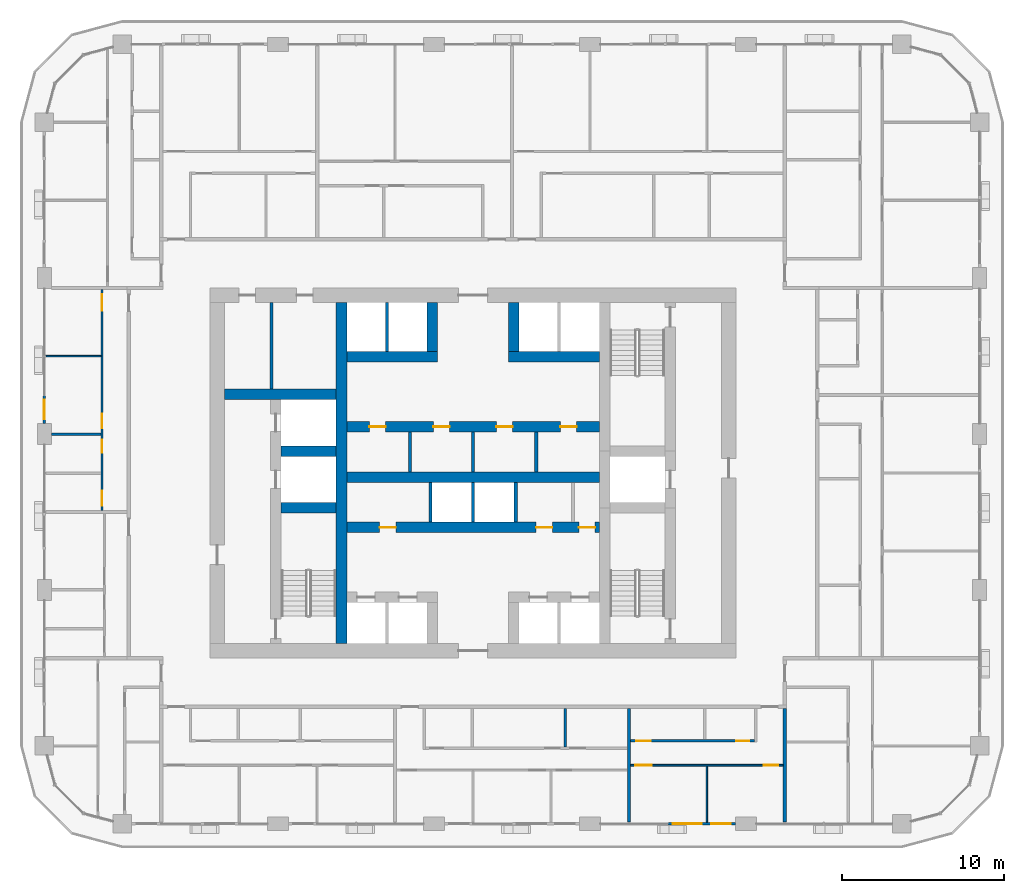
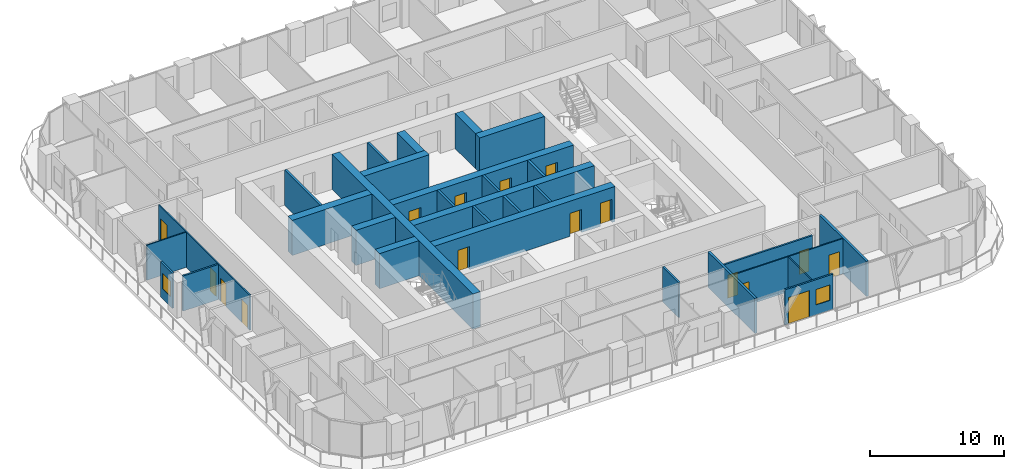
# One storey, part 11 of 22: 30 walls, 16 doors, 2 windows, 18 openings.
"""IFC4 building model written with IfcOpenShell, lengths in metres."""

from ifc_helpers import new_model, si_unit, direction, frame, frame_2d, origin, place, context, subcontext, project, spatial, rectangle, extrude, material, layer, layer_set, type_object, element, fill, save


model = new_model("IFC4")

# Units and contexts
model_context = context("Model", 3, precision=1e-05, world=origin(), true_north=direction((0.0, 1.0)))
body_context = subcontext(model_context, "Body", "Model", "MODEL_VIEW")
ifc_project = project(units=[si_unit("LENGTHUNIT", "METRE"), si_unit("AREAUNIT", "SQUARE_METRE"), si_unit("VOLUMEUNIT", "CUBIC_METRE"), si_unit("PLANEANGLEUNIT", "RADIAN"), si_unit("MASSUNIT", "GRAM", prefix="KILO")], contexts=[model_context])

# Site, building, storey
site_placement = place(None, origin())
site = spatial("IfcSite", under=ifc_project, at=site_placement, CompositionType="ELEMENT")
building_placement = place(site_placement, origin())
building = spatial("IfcBuilding", under=site, at=building_placement, Name="Madar Terraces", CompositionType="ELEMENT")
storey_placement = place(building_placement, frame((0.0, 0.0, 103.199951171875)))
storey = spatial("IfcBuildingStorey", under=building, at=storey_placement, Name="L26", CompositionType="ELEMENT", Elevation=103.199951171875)

# Walls
ifc_material_1 = material(Name="Concrete C80/95", Category="concrete")
ifc_layer_1 = layer(ifc_material_1, 0.64990234375)
ifc_layer_set_1 = layer_set([ifc_layer_1], Name="Concrete C80/95 (CIW2 RC wall 650)")
wall_type_1 = type_object("IfcWallType", Name="CIW2 RC wall 650", PredefinedType="SHEAR", material=ifc_layer_set_1)
wall_1_placement = place(storey_placement, frame((23.10009765625, 15.89990234375, 0.0), z_axis=(0.0, 0.0, 1.0), x_axis=(0.0, 1.0, 0.0)))
element("IfcWall", 1, at=wall_1_placement, inside=storey, type_object=wall_type_1, Name="CORE SHAFT WALL", PredefinedType="SHEAR", context=body_context, shape_type="SweptSolid", body=[
    extrude(rectangle(XDim=21.0, YDim=0.64990234375, at=frame_2d((10.5, 0.0))), origin(), (0.0, 0.0, 1.0), 3.199951171875),
])
for number, where, z_axis, x_axis, name in (
    (2, (19.375, 24.25, 0.0), (0.0, 0.0, 1.0), (1.0, 0.0, 0.0), "CORE SHAFT WALL"),
    (3, (19.375, 27.75, 0.0), (0.0, 0.0, 1.0), (1.0, 0.0, 0.0), "CORE SHAFT WALL"),
):
    element("IfcWall", number, at=place(storey_placement, frame(where, z_axis=z_axis, x_axis=x_axis)), inside=storey, type_object=wall_type_1, Name=name, PredefinedType="SHEAR", context=body_context, shape_type="SweptSolid", body=[
        extrude(rectangle(XDim=3.39990234375, YDim=0.64990234375, at=frame_2d((1.699951171875, 0.0))), origin(), (0.0, 0.0, 1.0), 3.199951171875),
    ])
wall_2_placement = place(storey_placement, frame((15.89990234375, 31.25, 0.0), z_axis=(0.0, 0.0, 1.0), x_axis=(1.0, 0.0, 0.0)))
element("IfcWall", 4, at=wall_2_placement, inside=storey, type_object=wall_type_1, Name="CORE SHAFT WALL", PredefinedType="SHEAR", context=body_context, shape_type="SweptSolid", body=[
    extrude(rectangle(XDim=6.875, YDim=0.64990234375, at=frame_2d((3.4375, 0.0))), origin(), (0.0, 0.0, 1.0), 3.199951171875),
])

# Wall, openings, doors
wall_3_placement = place(storey_placement, frame((23.425048828125, 23.050048828125, 0.0), z_axis=(0.0, 0.0, 1.0), x_axis=(1.0, 0.0, 0.0)))
wall_3 = element("IfcWall", 5, at=wall_3_placement, inside=storey, type_object=wall_type_1, Name="CORE SHAFT WALL", PredefinedType="SHEAR", context=body_context, shape_type="SweptSolid", body=[
    extrude(rectangle(XDim=15.550048828125, YDim=0.64990234375, at=frame_2d((7.77490234375, 0.0))), origin(), (0.0, 0.0, 1.0), 3.199951171875),
])
opening_1_placement = place(wall_3_placement, frame((2.02490234375, 0.0, 0.0)))
opening_1 = element("IfcOpeningElement", 6, at=opening_1_placement, cuts=wall_3, Name="Opening KD2", PredefinedType="OPENING", context=body_context, shape_type="SweptSolid", body=[
    extrude(rectangle(XDim=1.0, YDim=2.10009765625, at=frame_2d((0.5, 1.050048828125))), frame((0.0, 0.3349609375, 0.0), z_axis=(0.0, -1.0, 0.0), x_axis=(1.0, 0.0, 0.0)), (0.0, 0.0, 1.0), 0.669921875),
])
opening_2_placement = place(wall_3_placement, frame((11.6669921875, 0.0, 0.0)))
opening_2 = element("IfcOpeningElement", 7, at=opening_2_placement, cuts=wall_3, Name="Opening KD2", PredefinedType="OPENING", context=body_context, shape_type="SweptSolid", body=[
    extrude(rectangle(XDim=1.0, YDim=2.10009765625, at=frame_2d((0.5, 1.050048828125))), frame((0.0, 0.3349609375, 0.0), z_axis=(0.0, -1.0, 0.0), x_axis=(1.0, 0.0, 0.0)), (0.0, 0.0, 1.0), 0.669921875),
])
opening_3_placement = place(wall_3_placement, frame((14.2919921875, 0.0, 0.0)))
opening_3 = element("IfcOpeningElement", 8, at=opening_3_placement, cuts=wall_3, Name="Opening KD2", PredefinedType="OPENING", context=body_context, shape_type="SweptSolid", body=[
    extrude(rectangle(XDim=1.0, YDim=2.10009765625, at=frame_2d((0.5, 1.050048828125))), frame((0.0, 0.3349609375, 0.0), z_axis=(0.0, -1.0, 0.0), x_axis=(1.0, 0.0, 0.0)), (0.0, 0.0, 1.0), 0.669921875),
])
ifc_material_2 = material(Name="Steel door leaf", Category="steel")
door_type_1 = type_object("IfcDoorType", Name="Service room door 1000 x 2100", OperationType="NOTDEFINED", PredefinedType="DOOR", material=ifc_material_2)
door_1_placement = place(opening_1_placement, frame((1.0, 0.0, 0.0), z_axis=(0.0, 0.0, 1.0), x_axis=(-1.0, 0.0, 0.0)))
door_1 = element("IfcDoor", 9, at=door_1_placement, inside=storey, type_object=door_type_1, Name="SERVICE ROOM DOOR", OperationType="SINGLE_SWING_LEFT", OverallHeight=2.10009765625, OverallWidth=1.0, PredefinedType="DOOR", context=body_context, shape_type="SweptSolid", body=[
    extrude(rectangle(XDim=1.0, YDim=2.10009765625, at=frame_2d((0.5, 1.050048828125))), frame((0.0, 0.02490234375, 0.0), z_axis=(0.0, -1.0, 0.0), x_axis=(1.0, 0.0, 0.0)), (0.0, 0.0, 1.0), 0.050048828125),
])
fill(opening_1, door_1)
door_2_placement = place(opening_2_placement, frame((1.0, 0.0, 0.0), z_axis=(0.0, 0.0, 1.0), x_axis=(-1.0, 0.0, 0.0)))
door_2 = element("IfcDoor", 10, at=door_2_placement, inside=storey, type_object=door_type_1, Name="SERVICE ROOM DOOR", OperationType="SINGLE_SWING_RIGHT", OverallHeight=2.10009765625, OverallWidth=1.0, PredefinedType="DOOR", context=body_context, shape_type="SweptSolid", body=[
    extrude(rectangle(XDim=1.0, YDim=2.10009765625, at=frame_2d((0.5, 1.050048828125))), frame((0.0, 0.02490234375, 0.0), z_axis=(0.0, -1.0, 0.0), x_axis=(1.0, 0.0, 0.0)), (0.0, 0.0, 1.0), 0.050048828125),
])
fill(opening_2, door_2)
door_3_placement = place(opening_3_placement, frame((1.0, 0.0, 0.0), z_axis=(0.0, 0.0, 1.0), x_axis=(-1.0, 0.0, 0.0)))
door_3 = element("IfcDoor", 11, at=door_3_placement, inside=storey, type_object=door_type_1, Name="SERVICE ROOM DOOR", OperationType="SINGLE_SWING_LEFT", OverallHeight=2.10009765625, OverallWidth=1.0, PredefinedType="DOOR", context=body_context, shape_type="SweptSolid", body=[
    extrude(rectangle(XDim=1.0, YDim=2.10009765625, at=frame_2d((0.5, 1.050048828125))), frame((0.0, 0.02490234375, 0.0), z_axis=(0.0, -1.0, 0.0), x_axis=(1.0, 0.0, 0.0)), (0.0, 0.0, 1.0), 0.050048828125),
])
fill(opening_3, door_3)

# Wall
wall_4_placement = place(storey_placement, frame((23.425048828125, 26.14990234375, 0.0), z_axis=(0.0, 0.0, 1.0), x_axis=(1.0, 0.0, 0.0)))
element("IfcWall", 12, at=wall_4_placement, inside=storey, type_object=wall_type_1, Name="CORE SHAFT WALL", PredefinedType="SHEAR", context=body_context, shape_type="SweptSolid", body=[
    extrude(rectangle(XDim=15.550048828125, YDim=0.64990234375, at=frame_2d((7.77490234375, 0.0))), origin(), (0.0, 0.0, 1.0), 3.199951171875),
])

# Wall, openings, doors
wall_5_placement = place(storey_placement, frame((23.425048828125, 29.25, 0.0), z_axis=(0.0, 0.0, 1.0), x_axis=(1.0, 0.0, 0.0)))
wall_5 = element("IfcWall", 13, at=wall_5_placement, inside=storey, type_object=wall_type_1, Name="CORE SHAFT WALL", PredefinedType="SHEAR", context=body_context, shape_type="SweptSolid", body=[
    extrude(rectangle(XDim=15.550048828125, YDim=0.64990234375, at=frame_2d((7.77490234375, 0.0))), origin(), (0.0, 0.0, 1.0), 3.199951171875),
])
opening_4_placement = place(wall_5_placement, frame((1.393798828125, 0.0, 0.0)))
opening_4 = element("IfcOpeningElement", 14, at=opening_4_placement, cuts=wall_5, Name="Opening KD2", PredefinedType="OPENING", context=body_context, shape_type="SweptSolid", body=[
    extrude(rectangle(XDim=1.0, YDim=2.10009765625, at=frame_2d((0.5, 1.050048828125))), frame((0.0, 0.3349609375, 0.0), z_axis=(0.0, -1.0, 0.0), x_axis=(1.0, 0.0, 0.0)), (0.0, 0.0, 1.0), 0.669921875),
])
opening_5_placement = place(wall_5_placement, frame((5.331298828125, 0.0, 0.0)))
opening_5 = element("IfcOpeningElement", 15, at=opening_5_placement, cuts=wall_5, Name="Opening KD2", PredefinedType="OPENING", context=body_context, shape_type="SweptSolid", body=[
    extrude(rectangle(XDim=1.0, YDim=2.10009765625, at=frame_2d((0.5, 1.050048828125))), frame((0.0, 0.3349609375, 0.0), z_axis=(0.0, -1.0, 0.0), x_axis=(1.0, 0.0, 0.0)), (0.0, 0.0, 1.0), 0.669921875),
])
opening_6_placement = place(wall_5_placement, frame((9.21875, 0.0, 0.0)))
opening_6 = element("IfcOpeningElement", 16, at=opening_6_placement, cuts=wall_5, Name="Opening KD2", PredefinedType="OPENING", context=body_context, shape_type="SweptSolid", body=[
    extrude(rectangle(XDim=1.0, YDim=2.10009765625, at=frame_2d((0.5, 1.050048828125))), frame((0.0, 0.3349609375, 0.0), z_axis=(0.0, -1.0, 0.0), x_axis=(1.0, 0.0, 0.0)), (0.0, 0.0, 1.0), 0.669921875),
])
opening_7_placement = place(wall_5_placement, frame((13.15625, 0.0, 0.0)))
opening_7 = element("IfcOpeningElement", 17, at=opening_7_placement, cuts=wall_5, Name="Opening KD2", PredefinedType="OPENING", context=body_context, shape_type="SweptSolid", body=[
    extrude(rectangle(XDim=1.0, YDim=2.10009765625, at=frame_2d((0.5, 1.050048828125))), frame((0.0, 0.3349609375, 0.0), z_axis=(0.0, -1.0, 0.0), x_axis=(1.0, 0.0, 0.0)), (0.0, 0.0, 1.0), 0.669921875),
])
door_4_placement = place(opening_4_placement, origin())
door_4 = element("IfcDoor", 18, at=door_4_placement, inside=storey, type_object=door_type_1, Name="SERVICE ROOM DOOR", OperationType="SINGLE_SWING_RIGHT", OverallHeight=2.10009765625, OverallWidth=1.0, PredefinedType="DOOR", context=body_context, shape_type="SweptSolid", body=[
    extrude(rectangle(XDim=1.0, YDim=2.10009765625, at=frame_2d((0.5, 1.050048828125))), frame((0.0, 0.02490234375, 0.0), z_axis=(0.0, -1.0, 0.0), x_axis=(1.0, 0.0, 0.0)), (0.0, 0.0, 1.0), 0.050048828125),
])
fill(opening_4, door_4)
door_5_placement = place(opening_5_placement, origin())
door_5 = element("IfcDoor", 19, at=door_5_placement, inside=storey, type_object=door_type_1, Name="SERVICE ROOM DOOR", OperationType="SINGLE_SWING_LEFT", OverallHeight=2.10009765625, OverallWidth=1.0, PredefinedType="DOOR", context=body_context, shape_type="SweptSolid", body=[
    extrude(rectangle(XDim=1.0, YDim=2.10009765625, at=frame_2d((0.5, 1.050048828125))), frame((0.0, 0.02490234375, 0.0), z_axis=(0.0, -1.0, 0.0), x_axis=(1.0, 0.0, 0.0)), (0.0, 0.0, 1.0), 0.050048828125),
])
fill(opening_5, door_5)
door_6_placement = place(opening_6_placement, origin())
door_6 = element("IfcDoor", 20, at=door_6_placement, inside=storey, type_object=door_type_1, Name="SERVICE ROOM DOOR", OperationType="SINGLE_SWING_RIGHT", OverallHeight=2.10009765625, OverallWidth=1.0, PredefinedType="DOOR", context=body_context, shape_type="SweptSolid", body=[
    extrude(rectangle(XDim=1.0, YDim=2.10009765625, at=frame_2d((0.5, 1.050048828125))), frame((0.0, 0.02490234375, 0.0), z_axis=(0.0, -1.0, 0.0), x_axis=(1.0, 0.0, 0.0)), (0.0, 0.0, 1.0), 0.050048828125),
])
fill(opening_6, door_6)
door_7_placement = place(opening_7_placement, origin())
door_7 = element("IfcDoor", 21, at=door_7_placement, inside=storey, type_object=door_type_1, Name="SERVICE ROOM DOOR", OperationType="SINGLE_SWING_LEFT", OverallHeight=2.10009765625, OverallWidth=1.0, PredefinedType="DOOR", context=body_context, shape_type="SweptSolid", body=[
    extrude(rectangle(XDim=1.0, YDim=2.10009765625, at=frame_2d((0.5, 1.050048828125))), frame((0.0, 0.02490234375, 0.0), z_axis=(0.0, -1.0, 0.0), x_axis=(1.0, 0.0, 0.0)), (0.0, 0.0, 1.0), 0.050048828125),
])
fill(opening_7, door_7)

# Walls
wall_6_placement = place(storey_placement, frame((23.425048828125, 33.550048828125, 0.0), z_axis=(0.0, 0.0, 1.0), x_axis=(1.0, 0.0, 0.0)))
element("IfcWall", 22, at=wall_6_placement, inside=storey, type_object=wall_type_1, Name="CORE SHAFT WALL", PredefinedType="SHEAR", context=body_context, shape_type="SweptSolid", body=[
    extrude(rectangle(XDim=5.599853515625, YDim=0.64990234375, at=frame_2d((2.7998046875, 0.0))), origin(), (0.0, 0.0, 1.0), 3.199951171875),
])
wall_7_placement = place(storey_placement, frame((33.375, 33.550048828125, 0.0), z_axis=(0.0, 0.0, 1.0), x_axis=(1.0, 0.0, 0.0)))
element("IfcWall", 23, at=wall_7_placement, inside=storey, type_object=wall_type_1, Name="CORE SHAFT WALL", PredefinedType="SHEAR", context=body_context, shape_type="SweptSolid", body=[
    extrude(rectangle(XDim=5.60009765625, YDim=0.64990234375, at=frame_2d((2.800048828125, 0.0))), origin(), (0.0, 0.0, 1.0), 3.199951171875),
])
for number, where, z_axis, x_axis, name in (
    (24, (28.699951171875, 33.875, 0.0), (0.0, 0.0, 1.0), (0.0, 1.0, 0.0), "CORE SHAFT WALL"),
    (25, (33.699951171875, 33.875, 0.0), (0.0, 0.0, 1.0), (0.0, 1.0, 0.0), "CORE SHAFT WALL"),
):
    element("IfcWall", number, at=place(storey_placement, frame(where, z_axis=z_axis, x_axis=x_axis)), inside=storey, type_object=wall_type_1, Name=name, PredefinedType="SHEAR", context=body_context, shape_type="SweptSolid", body=[
        extrude(rectangle(XDim=3.02490234375, YDim=0.64990234375, at=frame_2d((1.512451171875, 0.0))), origin(), (0.0, 0.0, 1.0), 3.199951171875),
    ])
ifc_material_3 = material(Name="Masonry blockwork", Category="masonry")
ifc_layer_2 = layer(ifc_material_3, 0.199951171875)
ifc_layer_set_2 = layer_set([ifc_layer_2], Name="Core partition 200 blockwork")
wall_type_2 = type_object("IfcWallType", Name="Core partition 200 blockwork", PredefinedType="PARTITIONING", material=ifc_layer_set_2)
wall_8_placement = place(storey_placement, frame((18.78759765625, 31.574951171875, 0.0), z_axis=(0.0, 0.0, 1.0), x_axis=(0.0, 1.0, 0.0)))
element("IfcWall", 26, at=wall_8_placement, inside=storey, type_object=wall_type_2, Name="SERVICE ROOM PARTITION", PredefinedType="PARTITIONING", context=body_context, shape_type="SweptSolid", body=[
    extrude(rectangle(XDim=5.324951171875, YDim=0.199951171875, at=frame_2d((2.66259765625, 0.0))), origin(), (0.0, 0.0, 1.0), 3.199951171875),
])
for number, where, z_axis, x_axis, name in (
    (27, (27.3125, 26.47509765625, 0.0), (0.0, 0.0, 1.0), (0.0, 1.0, 0.0), "SERVICE ROOM PARTITION"),
    (28, (31.199951171875, 26.47509765625, 0.0), (0.0, 0.0, 1.0), (0.0, 1.0, 0.0), "SERVICE ROOM PARTITION"),
    (29, (35.08740234375, 26.47509765625, 0.0), (0.0, 0.0, 1.0), (0.0, 1.0, 0.0), "SERVICE ROOM PARTITION"),
):
    element("IfcWall", number, at=place(storey_placement, frame(where, z_axis=z_axis, x_axis=x_axis)), inside=storey, type_object=wall_type_2, Name=name, PredefinedType="PARTITIONING", context=body_context, shape_type="SweptSolid", body=[
        extrude(rectangle(XDim=2.449951171875, YDim=0.199951171875, at=frame_2d((1.22509765625, 0.0))), origin(), (0.0, 0.0, 1.0), 3.199951171875),
    ])
ifc_material_4 = material(Name="Concrete C40/50", Category="concrete")
ifc_layer_3 = layer(ifc_material_4, 0.199951171875)
ifc_layer_set_3 = layer_set([ifc_layer_3], Name="Core shaft dividing wall 200 C40/50")
wall_type_3 = type_object("IfcWallType", Name="Core shaft dividing wall 200 C40/50", PredefinedType="SOLIDWALL", material=ifc_layer_set_3)
for number, where, z_axis, x_axis, name in (
    (30, (28.574951171875, 23.375, 0.0), (0.0, 0.0, 1.0), (0.0, 1.0, 0.0), "SHAFT DIVIDING WALL"),
    (31, (31.199951171875, 23.375, 0.0), (0.0, 0.0, 1.0), (0.0, 1.0, 0.0), "SHAFT DIVIDING WALL"),
    (32, (33.824951171875, 23.375, 0.0), (0.0, 0.0, 1.0), (0.0, 1.0, 0.0), "SHAFT DIVIDING WALL"),
):
    element("IfcWall", number, at=place(storey_placement, frame(where, z_axis=z_axis, x_axis=x_axis)), inside=storey, type_object=wall_type_3, Name=name, PredefinedType="SOLIDWALL", context=body_context, shape_type="SweptSolid", body=[
        extrude(rectangle(XDim=2.449951171875, YDim=0.199951171875, at=frame_2d((1.22509765625, 0.0))), origin(), (0.0, 0.0, 1.0), 3.199951171875),
    ])
wall_9_placement = place(storey_placement, frame((25.89990234375, 33.875, 0.0), z_axis=(0.0, 0.0, 1.0), x_axis=(0.0, 1.0, 0.0)))
element("IfcWall", 33, at=wall_9_placement, inside=storey, type_object=wall_type_3, Name="SHAFT DIVIDING WALL", PredefinedType="SOLIDWALL", context=body_context, shape_type="SweptSolid", body=[
    extrude(rectangle(XDim=3.02490234375, YDim=0.199951171875, at=frame_2d((1.512451171875, 0.0))), origin(), (0.0, 0.0, 1.0), 3.199951171875),
])

# Wall, openings, door, window
ifc_material_5 = material(Name="Aluminium composite panel, black, over insulated backing", Category="aluminium")
ifc_layer_4 = layer(ifc_material_5, 0.14990234375)
ifc_layer_set_4 = layer_set([ifc_layer_4], Name="Facade bay panel 150")
wall_type_4 = type_object("IfcWallType", Name="Facade bay panel 150", PredefinedType="SOLIDWALL", material=ifc_layer_set_4)
wall_10_placement = place(storey_placement, frame((43.199951171875, 4.800048828125, 0.0), z_axis=(0.0, 0.0, 1.0), x_axis=(1.0, 0.0, 0.0)))
wall_10 = element("IfcWall", 34, at=wall_10_placement, inside=storey, type_object=wall_type_4, Name="Facade bay panel", PredefinedType="SOLIDWALL", context=body_context, shape_type="SweptSolid", body=[
    extrude(rectangle(XDim=4.150146484375, YDim=0.14990234375, at=frame_2d((2.0751953125, 0.0))), origin(), (0.0, 0.0, 1.0), 3.199951171875),
])
opening_8_placement = place(wall_10_placement, frame((0.300048828125, 0.0, 0.0)))
opening_8 = element("IfcOpeningElement", 35, at=opening_8_placement, cuts=wall_10, Name="Opening ED1", PredefinedType="OPENING", context=body_context, shape_type="SweptSolid", body=[
    extrude(rectangle(XDim=1.800048828125, YDim=2.39990234375, at=frame_2d((0.89990234375, 1.199951171875))), frame((0.0, 0.0849609375, 0.0), z_axis=(0.0, -1.0, 0.0), x_axis=(1.0, 0.0, 0.0)), (0.0, 0.0, 1.0), 0.169921875),
])
opening_9_placement = place(wall_10_placement, frame((2.675048828125, 0.0, 0.89990234375)))
opening_9 = element("IfcOpeningElement", 36, at=opening_9_placement, cuts=wall_10, Name="Opening W1", PredefinedType="OPENING", context=body_context, shape_type="SweptSolid", body=[
    extrude(rectangle(XDim=1.199951171875, YDim=1.39990234375, at=frame_2d((0.60009765625, 0.699951171875))), frame((0.0, 0.0849609375, 0.0), z_axis=(0.0, -1.0, 0.0), x_axis=(1.0, 0.0, 0.0)), (0.0, 0.0, 1.0), 0.169921875),
])
ifc_material_6 = material(Name="Glass, clear, with black aluminium frame", Category="aluminium")
door_type_2 = type_object("IfcDoorType", Name="Balcony and terrace sliding door 1800 x 2400", OperationType="SLIDING_TO_LEFT", PredefinedType="DOOR", material=ifc_material_6)
door_8_placement = place(opening_8_placement, origin())
door_8 = element("IfcDoor", 37, at=door_8_placement, inside=storey, type_object=door_type_2, Name="Balcony door", OperationType="SLIDING_TO_LEFT", OverallHeight=2.39990234375, OverallWidth=1.800048828125, PredefinedType="DOOR", context=body_context, shape_type="SweptSolid", body=[
    extrude(rectangle(XDim=1.800048828125, YDim=2.39990234375, at=frame_2d((0.89990234375, 1.199951171875))), frame((0.0, 0.02490234375, 0.0), z_axis=(0.0, -1.0, 0.0), x_axis=(1.0, 0.0, 0.0)), (0.0, 0.0, 1.0), 0.050048828125),
])
fill(opening_8, door_8)
ifc_material_7 = material(Name="Glass, clear, with black aluminium frame", Category="aluminium")
window_type = type_object("IfcWindowType", Name="Vent window 1200 x 1400", PartitioningType="SINGLE_PANEL", PredefinedType="WINDOW", material=ifc_material_7)
window_1_placement = place(opening_9_placement, origin())
window_1 = element("IfcWindow", 38, at=window_1_placement, inside=storey, type_object=window_type, Name="Operable vent window", OverallHeight=1.39990234375, OverallWidth=1.199951171875, PartitioningType="SINGLE_PANEL", PredefinedType="WINDOW", context=body_context, shape_type="SweptSolid", body=[
    extrude(rectangle(XDim=1.199951171875, YDim=1.39990234375, at=frame_2d((0.60009765625, 0.699951171875))), frame((0.0, 0.030029296875, 0.0), z_axis=(0.0, -1.0, 0.0), x_axis=(1.0, 0.0, 0.0)), (0.0, 0.0, 1.0), 0.06005859375),
])
fill(opening_9, window_1)

# Wall, opening, window
wall_11_placement = place(storey_placement, frame((4.800048828125, 31.199951171875, 0.0), z_axis=(0.0, 0.0, 1.0), x_axis=(0.0, -1.0, 0.0)))
wall_11 = element("IfcWall", 39, at=wall_11_placement, inside=storey, type_object=wall_type_4, Name="Facade bay panel", PredefinedType="SOLIDWALL", context=body_context, shape_type="SweptSolid", body=[
    extrude(rectangle(XDim=1.75, YDim=0.14990234375, at=frame_2d((0.875, 0.0))), origin(), (0.0, 0.0, 1.0), 3.199951171875),
])
opening_10_placement = place(wall_11_placement, frame((0.27490234375, 0.0, 0.89990234375)))
opening_10 = element("IfcOpeningElement", 40, at=opening_10_placement, cuts=wall_11, Name="Opening W1", PredefinedType="OPENING", context=body_context, shape_type="SweptSolid", body=[
    extrude(rectangle(XDim=1.199951171875, YDim=1.39990234375, at=frame_2d((0.60009765625, 0.699951171875))), frame((0.0, 0.0849609375, 0.0), z_axis=(0.0, -1.0, 0.0), x_axis=(1.0, 0.0, 0.0)), (0.0, 0.0, 1.0), 0.169921875),
])
window_2_placement = place(opening_10_placement, origin())
window_2 = element("IfcWindow", 41, at=window_2_placement, inside=storey, type_object=window_type, Name="Operable vent window", OverallHeight=1.39990234375, OverallWidth=1.199951171875, PartitioningType="SINGLE_PANEL", PredefinedType="WINDOW", context=body_context, shape_type="SweptSolid", body=[
    extrude(rectangle(XDim=1.199951171875, YDim=1.39990234375, at=frame_2d((0.60009765625, 0.699951171875))), frame((0.0, 0.030029296875, 0.0), z_axis=(0.0, -1.0, 0.0), x_axis=(1.0, 0.0, 0.0)), (0.0, 0.0, 1.0), 0.06005859375),
])
fill(opening_10, window_2)

# Wall
ifc_material_8 = material(Name="Gypsum board on steel studs", Category="steel")
ifc_layer_5 = layer(ifc_material_8, 0.10009765625)
ifc_layer_set_5 = layer_set([ifc_layer_5], Name="Flat partition 100")
wall_type_5 = type_object("IfcWallType", Name="Flat partition 100", PredefinedType="PARTITIONING", material=ifc_layer_set_5)
wall_12_placement = place(storey_placement, frame((45.60009765625, 8.35009765625, 0.0), z_axis=(0.0, 0.0, 1.0), x_axis=(0.0, -1.0, 0.0)))
element("IfcWall", 42, at=wall_12_placement, inside=storey, type_object=wall_type_5, Name="Flat partition 100", PredefinedType="PARTITIONING", context=body_context, shape_type="SweptSolid", body=[
    extrude(rectangle(XDim=3.4501953125, YDim=0.10009765625, at=frame_2d((1.72509765625, 0.0))), origin(), (0.0, 0.0, 1.0), 3.199951171875),
])

# Wall, openings, doors
wall_13_placement = place(storey_placement, frame((50.300048828125, 8.39990234375, 0.0), z_axis=(0.0, 0.0, 1.0), x_axis=(-1.0, 0.0, 0.0)))
wall_13 = element("IfcWall", 43, at=wall_13_placement, inside=storey, type_object=wall_type_5, Name="Flat partition 100", PredefinedType="PARTITIONING", context=body_context, shape_type="SweptSolid", body=[
    extrude(rectangle(XDim=9.400146484375, YDim=0.10009765625, at=frame_2d((4.7001953125, 0.0))), origin(), (0.0, 0.0, 1.0), 3.199951171875),
])
opening_11_placement = place(wall_13_placement, frame((0.300048828125, 0.0, 0.0)))
opening_11 = element("IfcOpeningElement", 44, at=opening_11_placement, cuts=wall_13, Name="Opening D2", PredefinedType="OPENING", context=body_context, shape_type="SweptSolid", body=[
    extrude(rectangle(XDim=0.89990234375, YDim=2.10009765625, at=frame_2d((0.449951171875, 1.050048828125))), frame((0.0, 0.06005859375, 0.0), z_axis=(0.0, -1.0, 0.0), x_axis=(1.0, 0.0, 0.0)), (0.0, 0.0, 1.0), 0.1201171875),
])
opening_12_placement = place(wall_13_placement, frame((8.10009765625, 0.0, 0.0)))
opening_12 = element("IfcOpeningElement", 45, at=opening_12_placement, cuts=wall_13, Name="Opening D3", PredefinedType="OPENING", context=body_context, shape_type="SweptSolid", body=[
    extrude(rectangle(XDim=1.0, YDim=2.10009765625, at=frame_2d((0.5, 1.050048828125))), frame((0.0, 0.06005859375, 0.0), z_axis=(0.0, -1.0, 0.0), x_axis=(1.0, 0.0, 0.0)), (0.0, 0.0, 1.0), 0.1201171875),
])
ifc_material_9 = material(Name="Timber door leaf", Category="wood")
door_type_3 = type_object("IfcDoorType", Name="Flat living room door 1000", OperationType="NOTDEFINED", PredefinedType="DOOR", material=ifc_material_9)
door_9_placement = place(opening_12_placement, origin())
door_9 = element("IfcDoor", 46, at=door_9_placement, inside=storey, type_object=door_type_3, Name="Flat living room door 1000", OperationType="SINGLE_SWING_RIGHT", OverallHeight=2.10009765625, OverallWidth=1.0, PredefinedType="DOOR", context=body_context, shape_type="SweptSolid", body=[
    extrude(rectangle(XDim=1.0, YDim=2.10009765625, at=frame_2d((0.5, 1.050048828125))), frame((0.0, 0.02490234375, 0.0), z_axis=(0.0, -1.0, 0.0), x_axis=(1.0, 0.0, 0.0)), (0.0, 0.0, 1.0), 0.050048828125),
])
fill(opening_12, door_9)
ifc_material_10 = material(Name="Timber door leaf", Category="wood")
door_type_4 = type_object("IfcDoorType", Name="Flat room door 900", OperationType="NOTDEFINED", PredefinedType="DOOR", material=ifc_material_10)
door_10_placement = place(opening_11_placement, origin())
door_10 = element("IfcDoor", 47, at=door_10_placement, inside=storey, type_object=door_type_4, Name="Flat room door 900", OperationType="SINGLE_SWING_LEFT", OverallHeight=2.10009765625, OverallWidth=0.89990234375, PredefinedType="DOOR", context=body_context, shape_type="SweptSolid", body=[
    extrude(rectangle(XDim=0.89990234375, YDim=2.10009765625, at=frame_2d((0.449951171875, 1.050048828125))), frame((0.0, 0.02490234375, 0.0), z_axis=(0.0, -1.0, 0.0), x_axis=(1.0, 0.0, 0.0)), (0.0, 0.0, 1.0), 0.050048828125),
])
fill(opening_11, door_10)

# Wall
wall_14_placement = place(storey_placement, frame((8.300048828125, 33.60009765625, 0.0), z_axis=(0.0, 0.0, 1.0), x_axis=(-1.0, 0.0, 0.0)))
element("IfcWall", 48, at=wall_14_placement, inside=storey, type_object=wall_type_5, Name="Flat partition 100", PredefinedType="PARTITIONING", context=body_context, shape_type="SweptSolid", body=[
    extrude(rectangle(XDim=3.400146484375, YDim=0.10009765625, at=frame_2d((1.7001953125, 0.0))), origin(), (0.0, 0.0, 1.0), 3.199951171875),
])

# Wall, openings, doors
wall_15_placement = place(storey_placement, frame((8.35009765625, 24.10009765625, 0.0), z_axis=(0.0, 0.0, 1.0), x_axis=(0.0, 1.0, 0.0)))
wall_15 = element("IfcWall", 49, at=wall_15_placement, inside=storey, type_object=wall_type_5, Name="Flat partition 100", PredefinedType="PARTITIONING", context=body_context, shape_type="SweptSolid", body=[
    extrude(rectangle(XDim=13.599853515625, YDim=0.10009765625, at=frame_2d((6.7998046875, 0.0))), origin(), (0.0, 0.0, 1.0), 3.199951171875),
])
opening_13_placement = place(wall_15_placement, frame((12.300048828125, 0.0, 0.0)))
opening_13 = element("IfcOpeningElement", 50, at=opening_13_placement, cuts=wall_15, Name="Opening D3", PredefinedType="OPENING", context=body_context, shape_type="SweptSolid", body=[
    extrude(rectangle(XDim=1.0, YDim=2.10009765625, at=frame_2d((0.5, 1.050048828125))), frame((0.0, 0.06005859375, 0.0), z_axis=(0.0, -1.0, 0.0), x_axis=(1.0, 0.0, 0.0)), (0.0, 0.0, 1.0), 0.1201171875),
])
opening_14_placement = place(wall_15_placement, frame((5.050048828125, 0.0, 0.0)))
opening_14 = element("IfcOpeningElement", 51, at=opening_14_placement, cuts=wall_15, Name="Opening D2", PredefinedType="OPENING", context=body_context, shape_type="SweptSolid", body=[
    extrude(rectangle(XDim=0.89990234375, YDim=2.10009765625, at=frame_2d((0.449951171875, 1.050048828125))), frame((0.0, 0.06005859375, 0.0), z_axis=(0.0, -1.0, 0.0), x_axis=(1.0, 0.0, 0.0)), (0.0, 0.0, 1.0), 0.1201171875),
])
opening_15_placement = place(wall_15_placement, frame((3.550048828125, 0.0, 0.0)))
opening_15 = element("IfcOpeningElement", 52, at=opening_15_placement, cuts=wall_15, Name="Opening D4", PredefinedType="OPENING", context=body_context, shape_type="SweptSolid", body=[
    extrude(rectangle(XDim=0.800048828125, YDim=2.10009765625, at=frame_2d((0.39990234375, 1.050048828125))), frame((0.0, 0.06005859375, 0.0), z_axis=(0.0, -1.0, 0.0), x_axis=(1.0, 0.0, 0.0)), (0.0, 0.0, 1.0), 0.1201171875),
])
opening_16_placement = place(wall_15_placement, frame((0.300048828125, 0.0, 0.0)))
opening_16 = element("IfcOpeningElement", 53, at=opening_16_placement, cuts=wall_15, Name="Opening D2", PredefinedType="OPENING", context=body_context, shape_type="SweptSolid", body=[
    extrude(rectangle(XDim=0.89990234375, YDim=2.10009765625, at=frame_2d((0.449951171875, 1.050048828125))), frame((0.0, 0.06005859375, 0.0), z_axis=(0.0, -1.0, 0.0), x_axis=(1.0, 0.0, 0.0)), (0.0, 0.0, 1.0), 0.1201171875),
])
ifc_material_11 = material(Name="Timber door leaf", Category="wood")
door_type_5 = type_object("IfcDoorType", Name="Flat bathroom door 800", OperationType="NOTDEFINED", PredefinedType="DOOR", material=ifc_material_11)
door_11_placement = place(opening_15_placement, origin())
door_11 = element("IfcDoor", 54, at=door_11_placement, inside=storey, type_object=door_type_5, Name="Flat bathroom door 800", OperationType="SINGLE_SWING_RIGHT", OverallHeight=2.10009765625, OverallWidth=0.800048828125, PredefinedType="DOOR", context=body_context, shape_type="SweptSolid", body=[
    extrude(rectangle(XDim=0.800048828125, YDim=2.10009765625, at=frame_2d((0.39990234375, 1.050048828125))), frame((0.0, 0.02490234375, 0.0), z_axis=(0.0, -1.0, 0.0), x_axis=(1.0, 0.0, 0.0)), (0.0, 0.0, 1.0), 0.050048828125),
])
fill(opening_15, door_11)
door_12_placement = place(opening_13_placement, origin())
door_12 = element("IfcDoor", 55, at=door_12_placement, inside=storey, type_object=door_type_3, Name="Flat living room door 1000", OperationType="SINGLE_SWING_RIGHT", OverallHeight=2.10009765625, OverallWidth=1.0, PredefinedType="DOOR", context=body_context, shape_type="SweptSolid", body=[
    extrude(rectangle(XDim=1.0, YDim=2.10009765625, at=frame_2d((0.5, 1.050048828125))), frame((0.0, 0.02490234375, 0.0), z_axis=(0.0, -1.0, 0.0), x_axis=(1.0, 0.0, 0.0)), (0.0, 0.0, 1.0), 0.050048828125),
])
fill(opening_13, door_12)
door_13_placement = place(opening_14_placement, origin())
door_13 = element("IfcDoor", 56, at=door_13_placement, inside=storey, type_object=door_type_4, Name="Flat room door 900", OperationType="SINGLE_SWING_LEFT", OverallHeight=2.10009765625, OverallWidth=0.89990234375, PredefinedType="DOOR", context=body_context, shape_type="SweptSolid", body=[
    extrude(rectangle(XDim=0.89990234375, YDim=2.10009765625, at=frame_2d((0.449951171875, 1.050048828125))), frame((0.0, 0.02490234375, 0.0), z_axis=(0.0, -1.0, 0.0), x_axis=(1.0, 0.0, 0.0)), (0.0, 0.0, 1.0), 0.050048828125),
])
fill(opening_14, door_13)
door_14_placement = place(opening_16_placement, origin())
door_14 = element("IfcDoor", 57, at=door_14_placement, inside=storey, type_object=door_type_4, Name="Flat room door 900", OperationType="SINGLE_SWING_LEFT", OverallHeight=2.10009765625, OverallWidth=0.89990234375, PredefinedType="DOOR", context=body_context, shape_type="SweptSolid", body=[
    extrude(rectangle(XDim=0.89990234375, YDim=2.10009765625, at=frame_2d((0.449951171875, 1.050048828125))), frame((0.0, 0.02490234375, 0.0), z_axis=(0.0, -1.0, 0.0), x_axis=(1.0, 0.0, 0.0)), (0.0, 0.0, 1.0), 0.050048828125),
])
fill(opening_16, door_14)

# Walls
ifc_material_12 = material(Name="Lightweight blockwork", Category="masonry")
ifc_layer_6 = layer(ifc_material_12, 0.199951171875)
ifc_layer_set_6 = layer_set([ifc_layer_6], Name="Flat party and entrance wall 200")
wall_type_6 = type_object("IfcWallType", Name="Flat party and entrance wall 200", PredefinedType="PARTITIONING", material=ifc_layer_set_6)
for number, where, z_axis, x_axis, name in (
    (58, (40.800048828125, 11.89990234375, 0.0), (0.0, 0.0, 1.0), (0.0, -1.0, 0.0), "Flat party and entrance wall 200"),
    (59, (50.39990234375, 11.89990234375, 0.0), (0.0, 0.0, 1.0), (0.0, -1.0, 0.0), "Flat party and entrance wall 200"),
):
    element("IfcWall", number, at=place(storey_placement, frame(where, z_axis=z_axis, x_axis=x_axis)), inside=storey, type_object=wall_type_6, Name=name, PredefinedType="PARTITIONING", context=body_context, shape_type="SweptSolid", body=[
        extrude(rectangle(XDim=7.0, YDim=0.199951171875, at=frame_2d((3.5, 0.0))), origin(), (0.0, 0.0, 1.0), 3.199951171875),
    ])
ifc_material_13 = material(Name="Lightweight blockwork", Category="masonry")
ifc_layer_7 = layer(ifc_material_13, 0.14990234375)
ifc_layer_set_7 = layer_set([ifc_layer_7], Name="Flat wet-room partition 150")
wall_type_7 = type_object("IfcWallType", Name="Flat wet-room partition 150", PredefinedType="PARTITIONING", material=ifc_layer_set_7)
wall_16_placement = place(storey_placement, frame((36.876953125, 11.89990234375, 0.0), z_axis=(0.0, 0.0, 1.0), x_axis=(0.0, -1.0, 0.0)))
element("IfcWall", 60, at=wall_16_placement, inside=storey, type_object=wall_type_7, Name="Flat wet-room partition 150", PredefinedType="PARTITIONING", context=body_context, shape_type="SweptSolid", body=[
    extrude(rectangle(XDim=2.375, YDim=0.14990234375, at=frame_2d((1.1875, 0.0))), origin(), (0.0, 0.0, 1.0), 3.199951171875),
])

# Wall, openings, doors
wall_17_placement = place(storey_placement, frame((40.89990234375, 9.89990234375, 0.0), z_axis=(0.0, 0.0, 1.0), x_axis=(1.0, 0.0, 0.0)))
wall_17 = element("IfcWall", 61, at=wall_17_placement, inside=storey, type_object=wall_type_7, Name="Flat wet-room partition 150", PredefinedType="PARTITIONING", context=body_context, shape_type="SweptSolid", body=[
    extrude(rectangle(XDim=7.625, YDim=0.14990234375, at=frame_2d((3.8125, 0.0))), origin(), (0.0, 0.0, 1.0), 3.199951171875),
])
opening_17_placement = place(wall_17_placement, frame((6.52490234375, 0.0, 0.0)))
opening_17 = element("IfcOpeningElement", 62, at=opening_17_placement, cuts=wall_17, Name="Opening D4", PredefinedType="OPENING", context=body_context, shape_type="SweptSolid", body=[
    extrude(rectangle(XDim=0.800048828125, YDim=2.10009765625, at=frame_2d((0.39990234375, 1.050048828125))), frame((0.0, 0.0849609375, 0.0), z_axis=(0.0, -1.0, 0.0), x_axis=(1.0, 0.0, 0.0)), (0.0, 0.0, 1.0), 0.169921875),
])
opening_18_placement = place(wall_17_placement, frame((0.35009765625, 0.0, 0.0)))
opening_18 = element("IfcOpeningElement", 63, at=opening_18_placement, cuts=wall_17, Name="Opening D2", PredefinedType="OPENING", context=body_context, shape_type="SweptSolid", body=[
    extrude(rectangle(XDim=0.89990234375, YDim=2.10009765625, at=frame_2d((0.449951171875, 1.050048828125))), frame((0.0, 0.0849609375, 0.0), z_axis=(0.0, -1.0, 0.0), x_axis=(1.0, 0.0, 0.0)), (0.0, 0.0, 1.0), 0.169921875),
])
door_15_placement = place(opening_17_placement, origin())
door_15 = element("IfcDoor", 64, at=door_15_placement, inside=storey, type_object=door_type_5, Name="Flat bathroom door 800", OperationType="SINGLE_SWING_RIGHT", OverallHeight=2.10009765625, OverallWidth=0.800048828125, PredefinedType="DOOR", context=body_context, shape_type="SweptSolid", body=[
    extrude(rectangle(XDim=0.800048828125, YDim=2.10009765625, at=frame_2d((0.39990234375, 1.050048828125))), frame((0.0, 0.02490234375, 0.0), z_axis=(0.0, -1.0, 0.0), x_axis=(1.0, 0.0, 0.0)), (0.0, 0.0, 1.0), 0.050048828125),
])
fill(opening_17, door_15)
door_16_placement = place(opening_18_placement, origin())
door_16 = element("IfcDoor", 65, at=door_16_placement, inside=storey, type_object=door_type_4, Name="Flat room door 900", OperationType="SINGLE_SWING_LEFT", OverallHeight=2.10009765625, OverallWidth=0.89990234375, PredefinedType="DOOR", context=body_context, shape_type="SweptSolid", body=[
    extrude(rectangle(XDim=0.89990234375, YDim=2.10009765625, at=frame_2d((0.449951171875, 1.050048828125))), frame((0.0, 0.02490234375, 0.0), z_axis=(0.0, -1.0, 0.0), x_axis=(1.0, 0.0, 0.0)), (0.0, 0.0, 1.0), 0.050048828125),
])
fill(opening_18, door_16)

# Wall
wall_18_placement = place(storey_placement, frame((8.27490234375, 28.800048828125, 0.0), z_axis=(0.0, 0.0, 1.0), x_axis=(-1.0, 0.0, 0.0)))
element("IfcWall", 66, at=wall_18_placement, inside=storey, type_object=wall_type_7, Name="Flat wet-room partition 150", PredefinedType="PARTITIONING", context=body_context, shape_type="SweptSolid", body=[
    extrude(rectangle(XDim=3.0498046875, YDim=0.14990234375, at=frame_2d((1.52490234375, 0.0))), origin(), (0.0, 0.0, 1.0), 3.199951171875),
])

save(model, "model.ifc")
